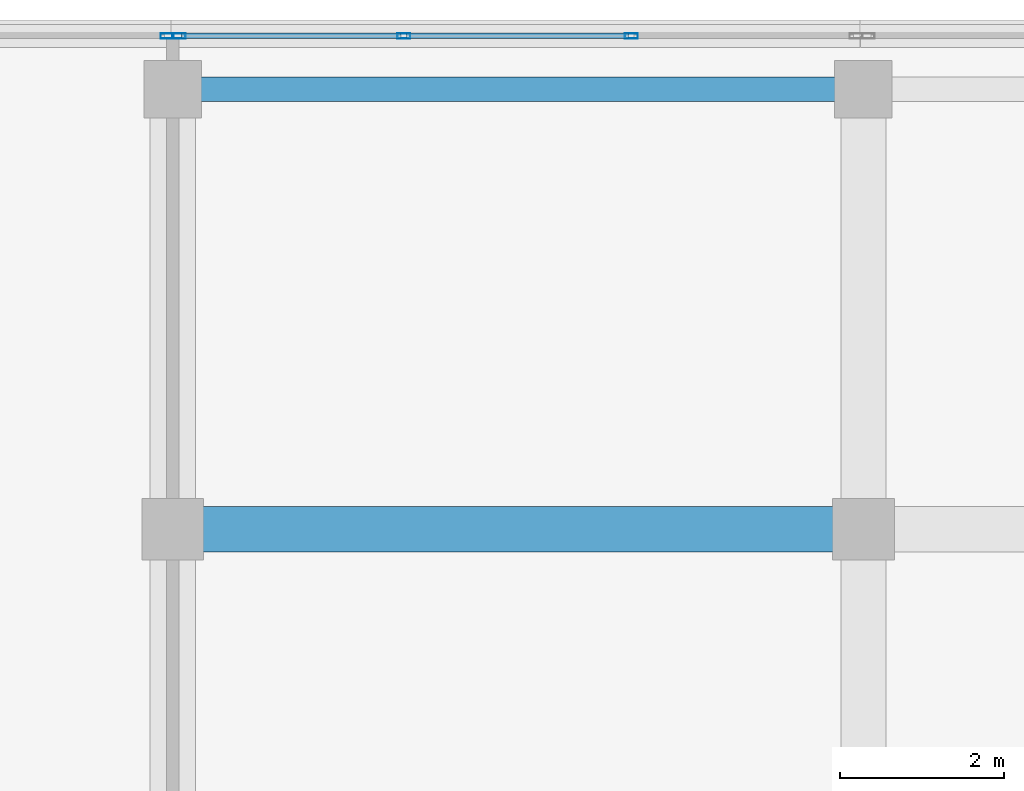
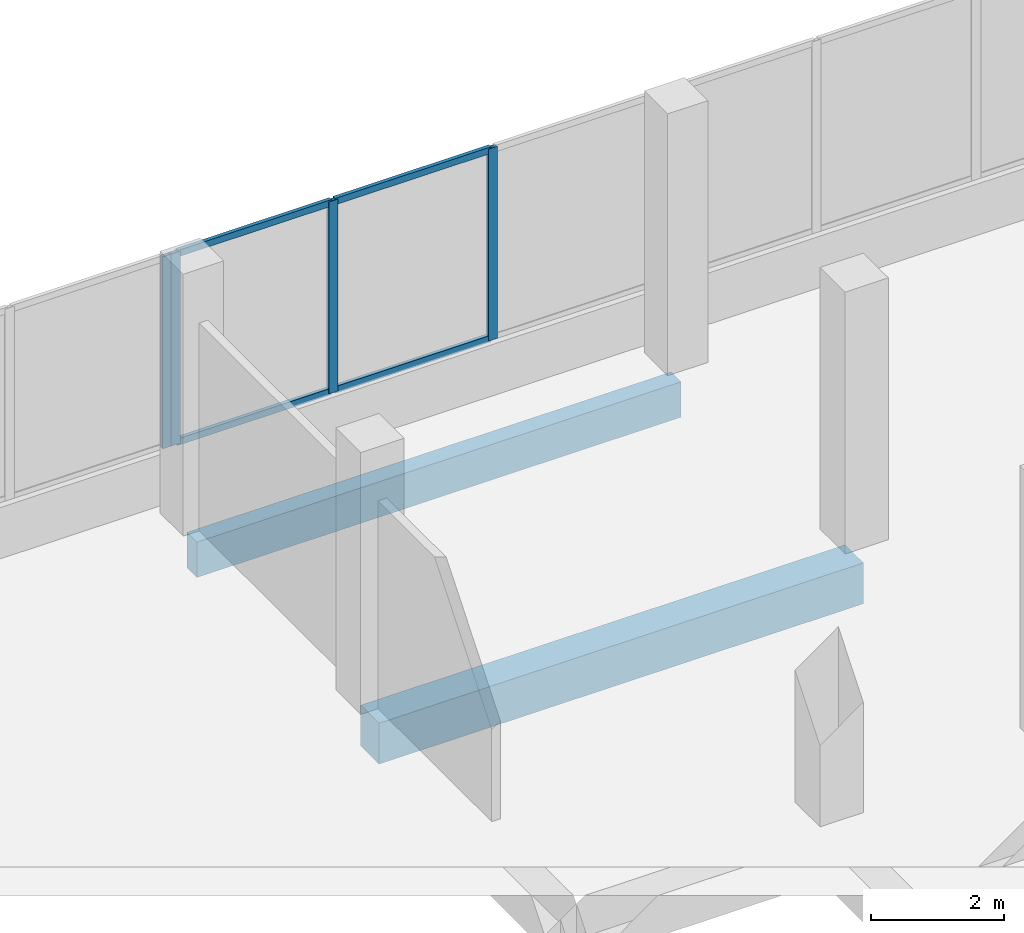
# One storey, part 66 of 155: 8 members, 2 beams, 2 elements without a shape of their own.
"""IFC4 building model written with IfcOpenShell, lengths in metres."""

from ifc_helpers import new_model, si_unit, direction, frame, origin, origin_2d, place, context, subcontext, project, spatial, rectangle, hollow_rectangle, extrude, material, material_profile, profile_set, type_object, element, aggregate, save


model = new_model("IFC4")

# Units and contexts
model_context = context("Model", 3, precision=1e-05, world=origin(), true_north=direction((0.0, 1.0)))
body_context = subcontext(model_context, "Body", "Model", "MODEL_VIEW")
ifc_project = project(units=[si_unit("LENGTHUNIT", "METRE"), si_unit("AREAUNIT", "SQUARE_METRE"), si_unit("VOLUMEUNIT", "CUBIC_METRE"), si_unit("PLANEANGLEUNIT", "RADIAN"), si_unit("MASSUNIT", "GRAM", prefix="KILO")], contexts=[model_context])

# Site, building, storey
site_placement = place(None, origin())
site = spatial("IfcSite", under=ifc_project, at=site_placement, CompositionType="ELEMENT")
building_placement = place(site_placement, origin())
building = spatial("IfcBuilding", under=site, at=building_placement, Name="Selatvlak General Hospital", CompositionType="ELEMENT")
storey_placement = place(building_placement, frame((0.0, 0.0, 10.199951171875)))
storey = spatial("IfcBuildingStorey", under=building, at=storey_placement, Name="L02", CompositionType="ELEMENT", Elevation=10.199951171875)

# Beams
ifc_material_1 = material(Name="Concrete C40/50", Category="concrete")
ifc_material_profile_1 = material_profile(ifc_material_1, rectangle(XDim=0.550048828125, YDim=0.75, at=origin_2d()), Name="RC-BM 550x750")
ifc_profile_set_1 = profile_set([ifc_material_profile_1], Name="Concrete C40/50")
beam_type_1 = type_object("IfcBeamType", Name="BM-G02", PredefinedType="BEAM", material=ifc_profile_set_1)
beam_1_placement = place(storey_placement, frame((22.800048828125, 114.0, -0.72998046875), z_axis=(1.0, 0.0, 0.0), x_axis=(0.0, 1.0, 0.0)))
element("IfcBeam", 1, at=beam_1_placement, inside=storey, type_object=beam_type_1, Name="Beam BMR-L02-0895", PredefinedType="BEAM", context=body_context, shape_type="SweptSolid", body=[
    extrude(rectangle(XDim=0.550048828125, YDim=0.75, at=origin_2d()), origin(), (0.0, 0.0, 1.0), 8.39990234375),
])
ifc_material_profile_2 = material_profile(ifc_material_1, rectangle(XDim=0.300048828125, YDim=0.64990234375, at=origin_2d()), Name="RC-SP 300x650")
ifc_profile_set_2 = profile_set([ifc_material_profile_2], Name="Concrete C40/50")
beam_type_2 = type_object("IfcBeamType", Name="BM-SP1", PredefinedType="SPANDREL", material=ifc_profile_set_2)
beam_2_placement = place(storey_placement, frame((22.800048828125, 119.35009765625, -0.679931640625), z_axis=(1.0, 0.0, 0.0), x_axis=(0.0, 1.0, 0.0)))
element("IfcBeam", 2, at=beam_2_placement, inside=storey, type_object=beam_type_2, Name="Beam BMR-L02-0910", PredefinedType="SPANDREL", context=body_context, shape_type="SweptSolid", body=[
    extrude(rectangle(XDim=0.300048828125, YDim=0.64990234375, at=origin_2d()), origin(), (0.0, 0.0, 1.0), 8.39990234375),
])

# Curtain wall, member
ifc_material_2 = material(Name="Solar-control Low-E double glazing", Category="glass")
curtain_wall_type_1 = type_object("IfcCurtainWallType", Name="CW-CW-02", PredefinedType="USERDEFINED", material=ifc_material_2)
curtain_wall_1_placement = place(storey_placement, origin())
curtain_wall_1 = element("IfcCurtainWall", 3, at=curtain_wall_1_placement, inside=storey, type_object=curtain_wall_type_1, Name="Glazed facade curtain wall CW-L02-0243", ObjectType="UNITISED CURTAIN WALL", PredefinedType="USERDEFINED")
ifc_material_3 = material(Name="Dark anodised aluminium mullion", Category="aluminium")
ifc_material_profile_3 = material_profile(ifc_material_3, hollow_rectangle(XDim=0.06494140625, YDim=0.159912109375, WallThickness=0.00390625, at=origin_2d()), Name="AL-MUL 65x160x4")
ifc_profile_set_3 = profile_set([ifc_material_profile_3], Name="Dark anodised aluminium mullion")
member_type_1 = type_object("IfcMemberType", Name="CWM-01", PredefinedType="MULLION", material=ifc_profile_set_3)
member_1_placement = place(storey_placement, frame((22.732421875, 119.9990234375, 0.93994140625), z_axis=(0.0, 0.0, 1.0), x_axis=(0.0, 1.0, 0.0)))
member_1 = element("IfcMember", 4, at=member_1_placement, type_object=member_type_1, Name="CW-02 mullion 4", PredefinedType="MULLION", context=body_context, shape_type="SweptSolid", body=[
    extrude(hollow_rectangle(XDim=0.06494140625, YDim=0.159912109375, WallThickness=0.00390625, at=origin_2d()), origin(), (0.0, 0.0, 1.0), 3.52001953125),
])
aggregate(curtain_wall_1, [member_1])

# Curtain wall, members
curtain_wall_type_2 = type_object("IfcCurtainWallType", Name="CW-CW-01", PredefinedType="USERDEFINED", material=ifc_material_2)
curtain_wall_2_placement = place(storey_placement, origin())
curtain_wall_2 = element("IfcCurtainWall", 5, at=curtain_wall_2_placement, inside=storey, type_object=curtain_wall_type_2, Name="Glazed facade curtain wall CW-L02-0244", ObjectType="UNITISED CURTAIN WALL", PredefinedType="USERDEFINED")
member_2_placement = place(storey_placement, frame((22.87744140625, 119.9990234375, 0.93994140625), z_axis=(0.0, 0.0, 1.0), x_axis=(0.0, 1.0, 0.0)))
member_2 = element("IfcMember", 6, at=member_2_placement, type_object=member_type_1, Name="CW-01 mullion 1", PredefinedType="MULLION", context=body_context, shape_type="SweptSolid", body=[
    extrude(hollow_rectangle(XDim=0.06494140625, YDim=0.159912109375, WallThickness=0.00390625, at=origin_2d()), origin(), (0.0, 0.0, 1.0), 3.52001953125),
])
member_3_placement = place(storey_placement, frame((25.611572265625, 119.9990234375, 0.93994140625), z_axis=(0.0, 0.0, 1.0), x_axis=(0.0, 1.0, 0.0)))
member_3 = element("IfcMember", 7, at=member_3_placement, type_object=member_type_1, Name="CW-01 mullion 2", PredefinedType="MULLION", context=body_context, shape_type="SweptSolid", body=[
    extrude(hollow_rectangle(XDim=0.06494140625, YDim=0.159912109375, WallThickness=0.00390625, at=origin_2d()), origin(), (0.0, 0.0, 1.0), 3.52001953125),
])
member_4_placement = place(storey_placement, frame((28.37841796875, 119.9990234375, 0.93994140625), z_axis=(0.0, 0.0, 1.0), x_axis=(0.0, 1.0, 0.0)))
member_4 = element("IfcMember", 8, at=member_4_placement, type_object=member_type_1, Name="CW-01 mullion 3", PredefinedType="MULLION", context=body_context, shape_type="SweptSolid", body=[
    extrude(hollow_rectangle(XDim=0.06494140625, YDim=0.159912109375, WallThickness=0.00390625, at=origin_2d()), origin(), (0.0, 0.0, 1.0), 3.52001953125),
])
ifc_material_profile_4 = material_profile(ifc_material_3, hollow_rectangle(XDim=0.06494140625, YDim=0.1201171875, WallThickness=0.00390625, at=origin_2d()), Name="AL-TRN 65x120x4")
ifc_profile_set_4 = profile_set([ifc_material_profile_4], Name="Dark anodised aluminium mullion")
member_type_2 = type_object("IfcMemberType", Name="CWT-01", PredefinedType="USERDEFINED", material=ifc_profile_set_4)
member_5_placement = place(storey_placement, frame((22.909912109375, 119.9990234375, 0.97265625), z_axis=(1.0, 0.0, 0.0), x_axis=(0.0, 1.0, 0.0)))
member_5 = element("IfcMember", 9, at=member_5_placement, type_object=member_type_2, Name="CW-01 transom 1.1", ObjectType="TRANSOM", PredefinedType="USERDEFINED", context=body_context, shape_type="SweptSolid", body=[
    extrude(hollow_rectangle(XDim=0.06494140625, YDim=0.1201171875, WallThickness=0.00390625, at=origin_2d()), origin(), (0.0, 0.0, 1.0), 2.669189453125),
])
member_6_placement = place(storey_placement, frame((22.909912109375, 119.9990234375, 4.427490234375), z_axis=(1.0, 0.0, 0.0), x_axis=(0.0, 1.0, 0.0)))
member_6 = element("IfcMember", 10, at=member_6_placement, type_object=member_type_2, Name="CW-01 transom 1.2", ObjectType="TRANSOM", PredefinedType="USERDEFINED", context=body_context, shape_type="SweptSolid", body=[
    extrude(hollow_rectangle(XDim=0.06494140625, YDim=0.1201171875, WallThickness=0.00390625, at=origin_2d()), origin(), (0.0, 0.0, 1.0), 2.669189453125),
])
member_7_placement = place(storey_placement, frame((25.644287109375, 119.9990234375, 0.97265625), z_axis=(1.0, 0.0, 0.0), x_axis=(0.0, 1.0, 0.0)))
member_7 = element("IfcMember", 11, at=member_7_placement, type_object=member_type_2, Name="CW-01 transom 2.1", ObjectType="TRANSOM", PredefinedType="USERDEFINED", context=body_context, shape_type="SweptSolid", body=[
    extrude(hollow_rectangle(XDim=0.06494140625, YDim=0.1201171875, WallThickness=0.00390625, at=origin_2d()), origin(), (0.0, 0.0, 1.0), 2.70166015625),
])
member_8_placement = place(storey_placement, frame((25.644287109375, 119.9990234375, 4.427490234375), z_axis=(1.0, 0.0, 0.0), x_axis=(0.0, 1.0, 0.0)))
member_8 = element("IfcMember", 12, at=member_8_placement, type_object=member_type_2, Name="CW-01 transom 2.2", ObjectType="TRANSOM", PredefinedType="USERDEFINED", context=body_context, shape_type="SweptSolid", body=[
    extrude(hollow_rectangle(XDim=0.06494140625, YDim=0.1201171875, WallThickness=0.00390625, at=origin_2d()), origin(), (0.0, 0.0, 1.0), 2.70166015625),
])
aggregate(curtain_wall_2, [member_2, member_3, member_4, member_5, member_6, member_7, member_8])

save(model, "model.ifc")
